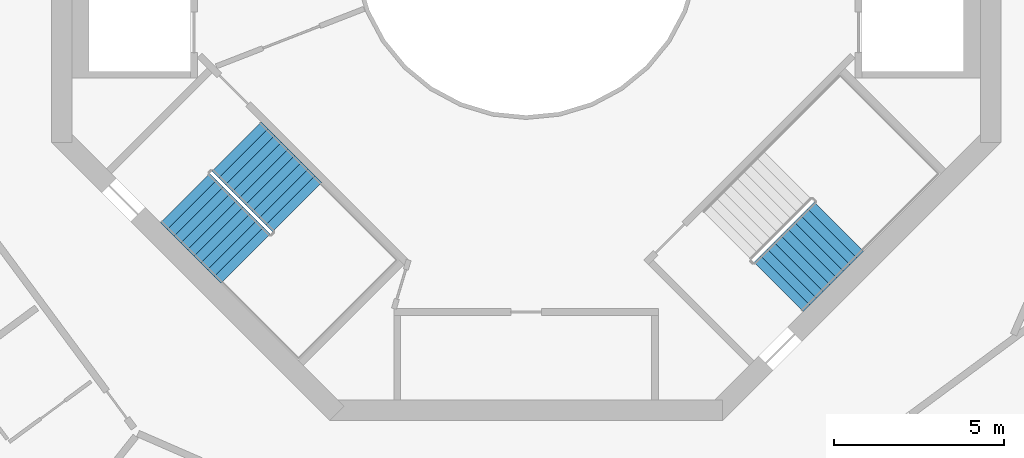
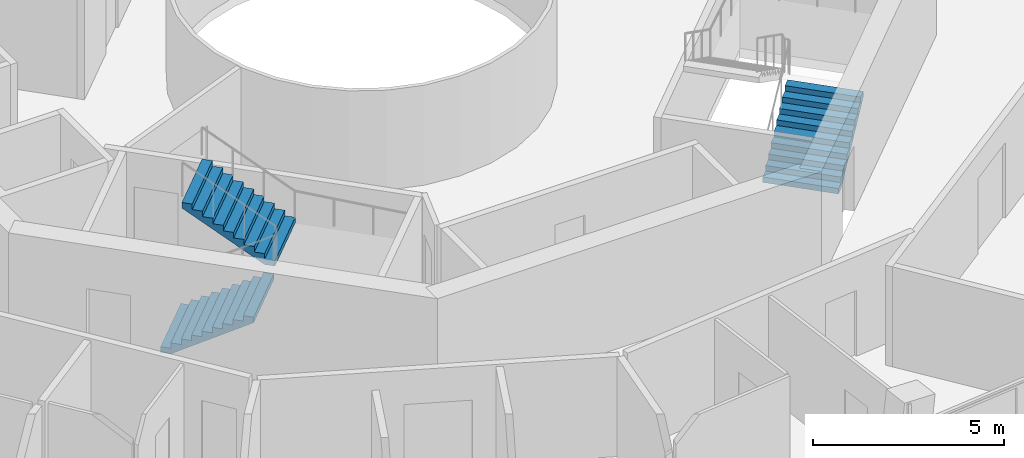
# One storey, part 21 of 23: 3 stair flights, 2 elements without a shape of their own.
"""IFC4 building model written with IfcOpenShell, lengths in metres."""

import ifcopenshell
import ifcopenshell.guid

model = None  # the IFC model being written
_history = None  # IfcOwnerHistory: only IFC2X3 demands one
_inside = {}  # id of a spatial element -> (the spatial element, [elements in it])
_under = {}  # id of a project, library or spatial element -> (it, [spatial elements below it])
_declared = {}  # id of a project -> (the project, [libraries it declares])
_typed = {}  # id of a type object -> (the type object, [elements of that type])
_made_of = {}  # id of a material, layer set ... -> (it, [elements and type objects made of it])


def new_model(schema):
    """Start an empty IFC model of exactly this schema.

    Asked for "IFC4X3", IfcOpenShell would pick the latest addendum, in which some entities
    have other attributes; the version numbers below select the first issue.
    IFC2X3 requires an IfcOwnerHistory on every rooted entity: one is made here for all.
    """
    global model, _history
    if schema == "IFC4X3":
        model = ifcopenshell.file(schema_version=(4, 3, 0, 0))
    else:
        model = ifcopenshell.file(schema=schema)
    _inside.clear()
    _under.clear()
    _declared.clear()
    _typed.clear()
    _made_of.clear()
    _history = None
    if model.schema == "IFC2X3":
        org = make("IfcOrganization", Name="unknown")
        user = make(
            "IfcPersonAndOrganization",
            ThePerson=make("IfcPerson", FamilyName="unknown"),
            TheOrganization=org,
        )
        app = make(
            "IfcApplication",
            ApplicationDeveloper=org,
            Version="unknown",
            ApplicationFullName="unknown",
            ApplicationIdentifier="unknown",
        )
        _history = make(
            "IfcOwnerHistory",
            OwningUser=user,
            OwningApplication=app,
            ChangeAction="ADDED",
            CreationDate=0,
        )
    return model


def make(cls, **values):
    """One entity of the class cls with the attributes given. An attribute that is None is left unset."""
    return model.create_entity(
        cls, **{name: value for name, value in values.items() if value is not None}
    )


def rooted(cls, **values):
    """An entity with a GlobalId (a new one), such as an element, a storey or a relation."""
    return make(cls, GlobalId=ifcopenshell.guid.new(), OwnerHistory=_history, **values)


def si_unit(unit_type, name, prefix=None):
    """IfcSIUnit, for example si_unit("LENGTHUNIT", "METRE", prefix="MILLI")."""
    return make("IfcSIUnit", UnitType=unit_type, Prefix=prefix, Name=name)


def assignment(units):
    """IfcUnitAssignment: the units of a project."""
    return None if units is None else make("IfcUnitAssignment", Units=units)


def point(xyz):
    """IfcCartesianPoint."""
    return None if xyz is None else make("IfcCartesianPoint", Coordinates=xyz)


def direction(xyz):
    """IfcDirection."""
    return None if xyz is None else make("IfcDirection", DirectionRatios=xyz)


def frame(location, z_axis=None, x_axis=None):
    """IfcAxis2Placement3D, a coordinate frame: its origin and axes. An axis left out is left unset."""
    return make(
        "IfcAxis2Placement3D",
        Location=point(location),
        Axis=direction(z_axis),
        RefDirection=direction(x_axis),
    )


def origin():
    """The frame at (0, 0, 0) with its axes left unset."""
    return frame((0.0, 0.0, 0.0))


def place(relative_to, where):
    """IfcLocalPlacement: puts the frame where relative to a parent placement (None: the world)."""
    return make(
        "IfcLocalPlacement", PlacementRelTo=relative_to, RelativePlacement=where
    )


def context(
    kind, dimensions, precision=None, world=None, true_north=None, identifier=None
):
    """IfcGeometricRepresentationContext, for example the 3D "Model" context."""
    return make(
        "IfcGeometricRepresentationContext",
        ContextIdentifier=identifier,
        ContextType=kind,
        CoordinateSpaceDimension=dimensions,
        Precision=precision,
        WorldCoordinateSystem=world,
        TrueNorth=true_north,
    )


def subcontext(parent, identifier, kind, view, scale=None):
    """IfcGeometricRepresentationSubContext, for example "Body" below "Model"."""
    return make(
        "IfcGeometricRepresentationSubContext",
        ContextIdentifier=identifier,
        ContextType=kind,
        ParentContext=parent,
        TargetScale=scale,
        TargetView=view,
    )


def project(units=None, contexts=None):
    """IfcProject with its units and contexts."""
    return rooted(
        "IfcProject",
        Name="project",
        RepresentationContexts=contexts,
        UnitsInContext=assignment(units),
    )


def spatial(cls, under=None, at=None, **own):
    """A site, building, storey or space (cls), placed at a placement, below another one or the project."""
    s = rooted(cls, ObjectPlacement=at, **own)
    if under is not None:
        _under.setdefault(under.id(), (under, []))[1].append(s)
    return s


def point_list(points):
    """IfcCartesianPointList2D or 3D."""
    cls = (
        "IfcCartesianPointList2D" if len(points[0]) == 2 else "IfcCartesianPointList3D"
    )
    return make(cls, CoordList=points)


def triangles(points, corners, closed=None, point_numbers=None):
    """IfcTriangulatedFaceSet: each triangle names its three corners, points numbered from 1."""
    return make(
        "IfcTriangulatedFaceSet",
        Coordinates=point_list(points),
        Closed=closed,
        CoordIndex=corners,
        PnIndex=point_numbers,
    )


def shape(context_of_items, identifier, shape_type, items):
    """IfcShapeRepresentation: the items that make up one representation, for example the "Body"."""
    return make(
        "IfcShapeRepresentation",
        ContextOfItems=context_of_items,
        RepresentationIdentifier=identifier,
        RepresentationType=shape_type,
        Items=items,
    )


def material(Name=None, Category=None):
    """IfcMaterial."""
    return make("IfcMaterial", Name=Name, Category=Category)


def made_of(thing, what):
    """Note that an element or type object is made of a material, layer set ...; save() writes the relation."""
    if what is not None:
        _made_of.setdefault(what.id(), (what, []))[1].append(thing)
    return thing


def type_object(cls, material=None, **own):
    """A type object (cls), such as IfcWallType, which elements share."""
    return made_of(rooted(cls, **own), material)


def element(
    cls,
    number,
    at=None,
    inside=None,
    cuts=None,
    type_object=None,
    material=None,
    context=None,
    identifier="Body",
    shape_type=None,
    held_by="IfcProductDefinitionShape",
    body=None,
    shapes=None,
    **own,
):
    """One element of the class cls, such as IfcWall. Its Tag is "e" and its number.

    at: its placement. inside: the storey or other place that contains it. cuts: it is an
    opening in that element (IfcRelVoidsElement). A single representation is given by context,
    identifier, shape_type and body (its items); several are given by shapes. held_by: the class
    of the entity that holds the representations. save() writes the other relations.
    """
    e = rooted(cls, Tag="e%d" % number, ObjectPlacement=at, **own)
    if body is not None:
        shapes = [shape(context, identifier, shape_type, body)]
    if shapes is not None:
        e.Representation = make(held_by, Representations=shapes)
    if inside is not None:
        _inside.setdefault(inside.id(), (inside, []))[1].append(e)
    if cuts is not None:
        rooted(
            "IfcRelVoidsElement", RelatingBuildingElement=cuts, RelatedOpeningElement=e
        )
    if type_object is not None:
        _typed.setdefault(type_object.id(), (type_object, []))[1].append(e)
    return made_of(e, material)


def aggregate(whole, parts):
    """IfcRelAggregates: a whole, such as a stair, and the parts it consists of."""
    return rooted("IfcRelAggregates", RelatingObject=whole, RelatedObjects=parts)


def save(model, path):
    """Write the relations noted so far, then the file.

    IfcRelAggregates (storeys below a building ...), IfcRelContainedInSpatialStructure (elements
    in a storey), IfcRelDefinesByType, IfcRelAssociatesMaterial and IfcRelDeclares: one each for
    every whole, place, type object, material and project.
    """
    for whole, parts in _under.values():
        aggregate(whole, parts)
    for where, things in _inside.values():
        rooted(
            "IfcRelContainedInSpatialStructure",
            RelatedElements=things,
            RelatingStructure=where,
        )
    for kind, things in _typed.values():
        rooted("IfcRelDefinesByType", RelatedObjects=things, RelatingType=kind)
    for what, things in _made_of.values():
        rooted("IfcRelAssociatesMaterial", RelatedObjects=things, RelatingMaterial=what)
    for by, libraries in _declared.values():
        rooted("IfcRelDeclares", RelatingContext=by, RelatedDefinitions=libraries)
    model.write(path)


model = new_model("IFC4")

# Units and contexts
model_context = context("Model", 3, precision=1e-05, world=origin(), true_north=direction((0.0, 1.0)))
body_context = subcontext(model_context, "Body", "Model", "MODEL_VIEW")
ifc_project = project(units=[si_unit("LENGTHUNIT", "METRE"), si_unit("AREAUNIT", "SQUARE_METRE"), si_unit("VOLUMEUNIT", "CUBIC_METRE"), si_unit("PLANEANGLEUNIT", "RADIAN"), si_unit("MASSUNIT", "GRAM", prefix="KILO")], contexts=[model_context])

# Site, building, storey
site_placement = place(None, origin())
site = spatial("IfcSite", under=ifc_project, at=site_placement, CompositionType="ELEMENT")
building_placement = place(site_placement, origin())
building = spatial("IfcBuilding", under=site, at=building_placement, Name="Verdalira Terraces Hotel", CompositionType="ELEMENT")
storey_placement = place(building_placement, frame((0.0, 0.0, 183.5)))
storey = spatial("IfcBuildingStorey", under=building, at=storey_placement, Name="L44", CompositionType="ELEMENT", Elevation=183.5)

# Stair, stair flights
ifc_material_1 = material(Name="Concrete C40", Category="concrete")
stair_type = type_object("IfcStairType", Name="Core stair 20 risers 2050 mm wide", PredefinedType="HALF_TURN_STAIR", material=ifc_material_1)
stair_1_placement = place(storey_placement, origin())
stair_1 = element("IfcStair", 1, at=stair_1_placement, inside=storey, type_object=stair_type, Name="L44 Exit stair ST2", PredefinedType="HALF_TURN_STAIR")
ifc_material_2 = material(Name="Concrete C40", Category="concrete")
stair_flight_type = type_object("IfcStairFlightType", Name="Core stair flight 20 risers 2050 mm wide", PredefinedType="STRAIGHT", material=ifc_material_2)
stair_flight_1_placement = place(storey_placement, frame((-10.058594, -7.442383, 0.0), z_axis=(0.0, 0.0, 1.0), x_axis=(0.707106781, -0.707106781, 0.0)))
stair_flight_1 = element("IfcStairFlight", 2, at=stair_flight_1_placement, type_object=stair_flight_type, Name="ST2 flight 1", NumberOfRisers=10, NumberOfTreads=9, PredefinedType="STRAIGHT", RiserHeight=0.175, TreadLength=0.28, context=body_context, shape_type="Tessellation", body=[
    triangles([(0.0, 1.025024, 0.0), (0.282715, 1.025024, 0.0), (2.52002, 1.025024, 1.398193), (0.0, -1.025024, 0.0), (0.282715, -1.025024, 0.0), (2.52002, -1.025024, 1.398193), (2.52002, 1.025024, 1.574951), (2.23999, 1.025024, 1.574951), (2.52002, -1.025024, 1.574951), (2.23999, -1.025024, 1.574951), (2.23999, 1.025024, 1.399902), (2.23999, -1.025024, 1.399902), (1.959961, 1.025024, 1.399902), (1.959961, -1.025024, 1.399902), (1.959961, 1.025024, 1.225098), (1.959961, -1.025024, 1.225098), (1.679932, 1.025024, 1.225098), (1.679932, 1.025024, 1.050049), (1.679932, -1.025024, 1.225098), (1.679932, -1.025024, 1.050049), (1.399902, 1.025024, 1.050049), (1.399902, 1.025024, 0.875), (1.399902, -1.025024, 1.050049), (1.399902, -1.025024, 0.875), (1.120117, 1.025024, 0.875), (1.120117, 1.025024, 0.699951), (1.120117, -1.025024, 0.875), (1.120117, -1.025024, 0.699951), (0.840088, 1.025024, 0.699951), (0.840088, 1.025024, 0.524902), (0.840088, -1.025024, 0.699951), (0.840088, -1.025024, 0.524902), (0.560059, 1.025024, 0.524902), (0.560059, 1.025024, 0.350098), (0.560059, -1.025024, 0.524902), (0.560059, -1.025024, 0.350098), (0.280029, 1.025024, 0.350098), (0.280029, 1.025024, 0.175049), (0.280029, -1.025024, 0.350098), (0.280029, -1.025024, 0.175049), (0.0, 1.025024, 0.175049), (0.0, -1.025024, 0.175049), (0.0, -0.96096, 0.0), (0.0, -0.96096, 0.175049), (0.0, -0.896896, 0.0), (0.0, -0.896896, 0.175049), (0.0, -0.832832, 0.0), (0.0, -0.832832, 0.175049), (0.0, -0.768768, 0.0), (0.0, -0.768768, 0.175049), (0.0, -0.704704, 0.0), (0.0, -0.704704, 0.175049), (0.0, -0.64064, 0.0), (0.0, -0.64064, 0.175049), (0.0, -0.576576, 0.0), (0.0, -0.576576, 0.175049), (0.0, -0.512512, 0.0), (0.0, -0.512512, 0.175049), (0.0, -0.448448, 0.0), (0.0, -0.448448, 0.175049), (0.0, -0.384384, 0.0), (0.0, -0.384384, 0.175049), (0.0, -0.32032, 0.0), (0.0, -0.32032, 0.175049), (0.0, -0.256256, 0.0), (0.0, -0.256256, 0.175049), (0.0, -0.192192, 0.0), (0.0, -0.192192, 0.175049), (0.0, -0.128128, 0.0), (0.0, -0.128128, 0.175049), (0.0, -0.064064, 0.0), (0.0, -0.064064, 0.175049), (0.0, 0.0, 0.0), (0.0, 0.0, 0.175049), (0.0, 0.064064, 0.0), (0.0, 0.064064, 0.175049), (0.0, 0.128128, 0.0), (0.0, 0.128128, 0.175049), (0.0, 0.192192, 0.0), (0.0, 0.192192, 0.175049), (0.0, 0.256256, 0.0), (0.0, 0.256256, 0.175049), (0.0, 0.32032, 0.0), (0.0, 0.32032, 0.175049), (0.0, 0.384384, 0.0), (0.0, 0.384384, 0.175049), (0.0, 0.448448, 0.0), (0.0, 0.448448, 0.175049), (0.0, 0.512512, 0.0), (0.0, 0.512512, 0.175049), (0.0, 0.576576, 0.0), (0.0, 0.576576, 0.175049), (0.0, 0.64064, 0.0), (0.0, 0.64064, 0.175049), (0.0, 0.704704, 0.0), (0.0, 0.704704, 0.175049), (0.0, 0.768768, 0.0), (0.0, 0.768768, 0.175049), (0.0, 0.832832, 0.0), (0.0, 0.832832, 0.175049), (0.0, 0.896896, 0.0), (0.0, 0.896896, 0.175049), (0.0, 0.96096, 0.0), (0.0, 0.96096, 0.175049), (2.52002, -0.96096, 1.574951), (2.52002, -0.896896, 1.574951), (2.52002, -0.832832, 1.574951), (2.52002, -0.768768, 1.574951), (2.52002, -0.704704, 1.574951), (2.52002, -0.64064, 1.574951), (2.52002, -0.576576, 1.574951), (2.52002, -0.512512, 1.574951), (2.52002, -0.448448, 1.574951), (2.52002, -0.384384, 1.574951), (2.52002, -0.32032, 1.574951), (2.52002, -0.256256, 1.574951), (2.52002, -0.192192, 1.574951), (2.52002, -0.128128, 1.574951), (2.52002, -0.064064, 1.574951), (2.52002, 0.0, 1.574951), (2.52002, 0.064064, 1.574951), (2.52002, 0.128128, 1.574951), (2.52002, 0.192192, 1.574951), (2.52002, 0.256256, 1.574951), (2.52002, 0.32032, 1.574951), (2.52002, 0.384384, 1.574951), (2.52002, 0.448448, 1.574951), (2.52002, 0.512512, 1.574951), (2.52002, 0.576576, 1.574951), (2.52002, 0.64064, 1.574951), (2.52002, 0.704704, 1.574951), (2.52002, 0.768768, 1.574951), (2.52002, 0.832832, 1.574951), (2.52002, 0.896896, 1.574951), (2.52002, 0.96096, 1.574951), (2.52002, -0.96096, 1.398193), (2.52002, -0.896896, 1.398193), (2.52002, -0.832832, 1.398193), (2.52002, -0.768768, 1.398193), (2.52002, -0.704704, 1.398193), (2.52002, -0.64064, 1.398193), (2.52002, -0.576576, 1.398193), (2.52002, -0.512512, 1.398193), (2.52002, -0.448448, 1.398193), (2.52002, -0.384384, 1.398193), (2.52002, -0.32032, 1.398193), (2.52002, -0.256256, 1.398193), (2.52002, -0.192192, 1.398193), (2.52002, -0.128128, 1.398193), (2.52002, -0.064064, 1.398193), (2.52002, 0.0, 1.398193), (2.52002, 0.064064, 1.398193), (2.52002, 0.128128, 1.398193), (2.52002, 0.192192, 1.398193), (2.52002, 0.256256, 1.398193), (2.52002, 0.32032, 1.398193), (2.52002, 0.384384, 1.398193), (2.52002, 0.448448, 1.398193), (2.52002, 0.512512, 1.398193), (2.52002, 0.576576, 1.398193), (2.52002, 0.64064, 1.398193), (2.52002, 0.704704, 1.398193), (2.52002, 0.768768, 1.398193), (2.52002, 0.832832, 1.398193), (2.52002, 0.896896, 1.398193), (2.52002, 0.96096, 1.398193)], [[1, 3, 2], [4, 5, 6], [3, 8, 7], [6, 9, 10], [3, 11, 8], [6, 10, 12], [3, 13, 11], [6, 12, 14], [3, 15, 13], [6, 14, 16], [15, 18, 17], [16, 19, 20], [3, 18, 15], [6, 16, 20], [18, 22, 21], [20, 23, 24], [3, 22, 18], [6, 20, 24], [22, 26, 25], [24, 27, 28], [3, 26, 22], [6, 24, 28], [26, 30, 29], [28, 31, 32], [3, 30, 26], [6, 28, 32], [1, 30, 3], [4, 6, 32], [30, 34, 33], [32, 35, 36], [34, 38, 37], [36, 39, 40], [30, 38, 34], [32, 36, 40], [1, 38, 30], [4, 32, 40], [38, 1, 41], [40, 42, 4], [4, 44, 43], [4, 42, 44], [43, 46, 45], [43, 44, 46], [45, 48, 47], [45, 46, 48], [47, 50, 49], [47, 48, 50], [49, 52, 51], [49, 50, 52], [51, 54, 53], [51, 52, 54], [53, 56, 55], [53, 54, 56], [55, 58, 57], [55, 56, 58], [57, 60, 59], [57, 58, 60], [59, 62, 61], [59, 60, 62], [61, 64, 63], [61, 62, 64], [63, 66, 65], [63, 64, 66], [65, 68, 67], [65, 66, 68], [67, 70, 69], [67, 68, 70], [69, 72, 71], [69, 70, 72], [71, 74, 73], [71, 72, 74], [73, 76, 75], [73, 74, 76], [75, 78, 77], [75, 76, 78], [77, 80, 79], [77, 78, 80], [79, 82, 81], [79, 80, 82], [81, 84, 83], [81, 82, 84], [83, 86, 85], [83, 84, 86], [85, 88, 87], [85, 86, 88], [87, 90, 89], [87, 88, 90], [89, 92, 91], [89, 90, 92], [91, 94, 93], [91, 92, 94], [93, 96, 95], [93, 94, 96], [95, 98, 97], [95, 96, 98], [97, 100, 99], [97, 98, 100], [99, 102, 101], [99, 100, 102], [101, 104, 103], [101, 102, 104], [103, 41, 1], [103, 104, 41], [42, 40, 44], [44, 40, 46], [46, 40, 48], [48, 40, 50], [50, 40, 52], [52, 40, 54], [54, 40, 56], [56, 40, 58], [58, 40, 60], [60, 40, 62], [62, 40, 64], [64, 40, 66], [66, 40, 68], [68, 40, 70], [70, 40, 72], [72, 40, 74], [74, 40, 76], [76, 40, 78], [78, 40, 80], [80, 40, 82], [82, 40, 84], [84, 40, 86], [86, 40, 88], [88, 40, 90], [90, 40, 92], [92, 40, 94], [94, 40, 96], [96, 40, 98], [98, 40, 100], [100, 40, 102], [102, 40, 104], [104, 40, 41], [41, 40, 38], [40, 37, 38], [40, 39, 37], [39, 34, 37], [39, 36, 34], [36, 33, 34], [36, 35, 33], [35, 30, 33], [35, 32, 30], [32, 29, 30], [32, 31, 29], [31, 26, 29], [31, 28, 26], [28, 25, 26], [28, 27, 25], [27, 22, 25], [27, 24, 22], [24, 21, 22], [24, 23, 21], [23, 18, 21], [23, 20, 18], [20, 17, 18], [20, 19, 17], [19, 15, 17], [19, 16, 15], [16, 13, 15], [16, 14, 13], [14, 11, 13], [14, 12, 11], [12, 8, 11], [12, 10, 8], [9, 105, 10], [105, 106, 10], [106, 107, 10], [107, 108, 10], [108, 109, 10], [109, 110, 10], [110, 111, 10], [111, 112, 10], [112, 113, 10], [113, 114, 10], [114, 115, 10], [115, 116, 10], [116, 117, 10], [117, 118, 10], [118, 119, 10], [119, 120, 10], [120, 121, 10], [121, 122, 10], [122, 123, 10], [123, 124, 10], [124, 125, 10], [125, 126, 10], [126, 127, 10], [127, 128, 10], [128, 129, 10], [129, 130, 10], [130, 131, 10], [131, 132, 10], [132, 133, 10], [133, 134, 10], [134, 135, 10], [135, 7, 10], [7, 8, 10], [9, 136, 105], [9, 6, 136], [105, 137, 106], [105, 136, 137], [106, 138, 107], [106, 137, 138], [107, 139, 108], [107, 138, 139], [108, 140, 109], [108, 139, 140], [109, 141, 110], [109, 140, 141], [110, 142, 111], [110, 141, 142], [111, 143, 112], [111, 142, 143], [112, 144, 113], [112, 143, 144], [113, 145, 114], [113, 144, 145], [114, 146, 115], [114, 145, 146], [115, 147, 116], [115, 146, 147], [116, 148, 117], [116, 147, 148], [117, 149, 118], [117, 148, 149], [118, 150, 119], [118, 149, 150], [119, 151, 120], [119, 150, 151], [120, 152, 121], [120, 151, 152], [121, 153, 122], [121, 152, 153], [122, 154, 123], [122, 153, 154], [123, 155, 124], [123, 154, 155], [124, 156, 125], [124, 155, 156], [125, 157, 126], [125, 156, 157], [126, 158, 127], [126, 157, 158], [127, 159, 128], [127, 158, 159], [128, 160, 129], [128, 159, 160], [129, 161, 130], [129, 160, 161], [130, 162, 131], [130, 161, 162], [131, 163, 132], [131, 162, 163], [132, 164, 133], [132, 163, 164], [133, 165, 134], [133, 164, 165], [134, 166, 135], [134, 165, 166], [135, 3, 7], [135, 166, 3], [6, 5, 136], [136, 5, 137], [137, 5, 138], [138, 5, 139], [139, 5, 140], [140, 5, 141], [141, 5, 142], [142, 5, 143], [143, 5, 144], [144, 5, 145], [145, 5, 146], [146, 5, 147], [147, 5, 148], [148, 5, 149], [149, 5, 150], [150, 5, 151], [151, 5, 152], [152, 5, 153], [153, 5, 154], [154, 5, 155], [155, 5, 156], [156, 5, 157], [157, 5, 158], [158, 5, 159], [159, 5, 160], [160, 5, 161], [161, 5, 162], [162, 5, 163], [163, 5, 164], [164, 5, 165], [165, 5, 166], [166, 5, 3], [3, 5, 2], [4, 43, 5], [43, 45, 5], [45, 47, 5], [47, 49, 5], [49, 51, 5], [51, 53, 5], [53, 55, 5], [55, 57, 5], [57, 59, 5], [59, 61, 5], [61, 63, 5], [63, 65, 5], [65, 67, 5], [67, 69, 5], [69, 71, 5], [71, 73, 5], [73, 75, 5], [75, 77, 5], [77, 79, 5], [79, 81, 5], [81, 83, 5], [83, 85, 5], [85, 87, 5], [87, 89, 5], [89, 91, 5], [91, 93, 5], [93, 95, 5], [95, 97, 5], [97, 99, 5], [99, 101, 5], [101, 103, 5], [103, 1, 5], [1, 2, 5]], closed=True),
])
stair_flight_2_placement = place(storey_placement, frame((-6.756348, -7.703857, 1.75), z_axis=(0.0, 0.0, 1.0), x_axis=(-0.707106781, 0.707106781, 0.0)))
stair_flight_2 = element("IfcStairFlight", 3, at=stair_flight_2_placement, type_object=stair_flight_type, Name="ST2 flight 2", NumberOfRisers=10, NumberOfTreads=9, PredefinedType="STRAIGHT", RiserHeight=0.175, TreadLength=0.28, context=body_context, shape_type="Tessellation", body=[
    triangles([(0.0, 1.025024, 0.0), (0.282715, 1.025024, 0.0), (2.52002, 1.025024, 1.398193), (0.0, -1.025024, 0.0), (0.282715, -1.025024, 0.0), (2.52002, -1.025024, 1.398193), (2.52002, 1.025024, 1.574951), (2.23999, 1.025024, 1.574951), (2.52002, -1.025024, 1.574951), (2.23999, -1.025024, 1.574951), (2.23999, 1.025024, 1.399902), (2.23999, -1.025024, 1.399902), (1.959961, 1.025024, 1.399902), (1.959961, -1.025024, 1.399902), (1.959961, 1.025024, 1.225098), (1.959961, -1.025024, 1.225098), (1.679932, 1.025024, 1.225098), (1.679932, 1.025024, 1.050049), (1.679932, -1.025024, 1.225098), (1.679932, -1.025024, 1.050049), (1.399902, 1.025024, 1.050049), (1.399902, 1.025024, 0.875), (1.399902, -1.025024, 1.050049), (1.399902, -1.025024, 0.875), (1.120117, 1.025024, 0.875), (1.120117, 1.025024, 0.699951), (1.120117, -1.025024, 0.875), (1.120117, -1.025024, 0.699951), (0.840088, 1.025024, 0.699951), (0.840088, 1.025024, 0.524902), (0.840088, -1.025024, 0.699951), (0.840088, -1.025024, 0.524902), (0.560059, 1.025024, 0.524902), (0.560059, 1.025024, 0.350098), (0.560059, -1.025024, 0.524902), (0.560059, -1.025024, 0.350098), (0.280029, 1.025024, 0.350098), (0.280029, 1.025024, 0.175049), (0.280029, -1.025024, 0.350098), (0.280029, -1.025024, 0.175049), (0.0, 1.025024, 0.175049), (0.0, -1.025024, 0.175049), (0.0, -0.96096, 0.0), (0.0, -0.96096, 0.175049), (0.0, -0.896896, 0.0), (0.0, -0.896896, 0.175049), (0.0, -0.832832, 0.0), (0.0, -0.832832, 0.175049), (0.0, -0.768768, 0.0), (0.0, -0.768768, 0.175049), (0.0, -0.704704, 0.0), (0.0, -0.704704, 0.175049), (0.0, -0.64064, 0.0), (0.0, -0.64064, 0.175049), (0.0, -0.576576, 0.0), (0.0, -0.576576, 0.175049), (0.0, -0.512512, 0.0), (0.0, -0.512512, 0.175049), (0.0, -0.448448, 0.0), (0.0, -0.448448, 0.175049), (0.0, -0.384384, 0.0), (0.0, -0.384384, 0.175049), (0.0, -0.32032, 0.0), (0.0, -0.32032, 0.175049), (0.0, -0.256256, 0.0), (0.0, -0.256256, 0.175049), (0.0, -0.192192, 0.0), (0.0, -0.192192, 0.175049), (0.0, -0.128128, 0.0), (0.0, -0.128128, 0.175049), (0.0, -0.064064, 0.0), (0.0, -0.064064, 0.175049), (0.0, 0.0, 0.0), (0.0, 0.0, 0.175049), (0.0, 0.064064, 0.0), (0.0, 0.064064, 0.175049), (0.0, 0.128128, 0.0), (0.0, 0.128128, 0.175049), (0.0, 0.192192, 0.0), (0.0, 0.192192, 0.175049), (0.0, 0.256256, 0.0), (0.0, 0.256256, 0.175049), (0.0, 0.32032, 0.0), (0.0, 0.32032, 0.175049), (0.0, 0.384384, 0.0), (0.0, 0.384384, 0.175049), (0.0, 0.448448, 0.0), (0.0, 0.448448, 0.175049), (0.0, 0.512512, 0.0), (0.0, 0.512512, 0.175049), (0.0, 0.576576, 0.0), (0.0, 0.576576, 0.175049), (0.0, 0.64064, 0.0), (0.0, 0.64064, 0.175049), (0.0, 0.704704, 0.0), (0.0, 0.704704, 0.175049), (0.0, 0.768768, 0.0), (0.0, 0.768768, 0.175049), (0.0, 0.832832, 0.0), (0.0, 0.832832, 0.175049), (0.0, 0.896896, 0.0), (0.0, 0.896896, 0.175049), (0.0, 0.96096, 0.0), (0.0, 0.96096, 0.175049), (2.52002, -0.96096, 1.574951), (2.52002, -0.896896, 1.574951), (2.52002, -0.832832, 1.574951), (2.52002, -0.768768, 1.574951), (2.52002, -0.704704, 1.574951), (2.52002, -0.64064, 1.574951), (2.52002, -0.576576, 1.574951), (2.52002, -0.512512, 1.574951), (2.52002, -0.448448, 1.574951), (2.52002, -0.384384, 1.574951), (2.52002, -0.32032, 1.574951), (2.52002, -0.256256, 1.574951), (2.52002, -0.192192, 1.574951), (2.52002, -0.128128, 1.574951), (2.52002, -0.064064, 1.574951), (2.52002, 0.0, 1.574951), (2.52002, 0.064064, 1.574951), (2.52002, 0.128128, 1.574951), (2.52002, 0.192192, 1.574951), (2.52002, 0.256256, 1.574951), (2.52002, 0.32032, 1.574951), (2.52002, 0.384384, 1.574951), (2.52002, 0.448448, 1.574951), (2.52002, 0.512512, 1.574951), (2.52002, 0.576576, 1.574951), (2.52002, 0.64064, 1.574951), (2.52002, 0.704704, 1.574951), (2.52002, 0.768768, 1.574951), (2.52002, 0.832832, 1.574951), (2.52002, 0.896896, 1.574951), (2.52002, 0.96096, 1.574951), (2.52002, -0.96096, 1.398193), (2.52002, -0.896896, 1.398193), (2.52002, -0.832832, 1.398193), (2.52002, -0.768768, 1.398193), (2.52002, -0.704704, 1.398193), (2.52002, -0.64064, 1.398193), (2.52002, -0.576576, 1.398193), (2.52002, -0.512512, 1.398193), (2.52002, -0.448448, 1.398193), (2.52002, -0.384384, 1.398193), (2.52002, -0.32032, 1.398193), (2.52002, -0.256256, 1.398193), (2.52002, -0.192192, 1.398193), (2.52002, -0.128128, 1.398193), (2.52002, -0.064064, 1.398193), (2.52002, 0.0, 1.398193), (2.52002, 0.064064, 1.398193), (2.52002, 0.128128, 1.398193), (2.52002, 0.192192, 1.398193), (2.52002, 0.256256, 1.398193), (2.52002, 0.32032, 1.398193), (2.52002, 0.384384, 1.398193), (2.52002, 0.448448, 1.398193), (2.52002, 0.512512, 1.398193), (2.52002, 0.576576, 1.398193), (2.52002, 0.64064, 1.398193), (2.52002, 0.704704, 1.398193), (2.52002, 0.768768, 1.398193), (2.52002, 0.832832, 1.398193), (2.52002, 0.896896, 1.398193), (2.52002, 0.96096, 1.398193)], [[1, 3, 2], [4, 5, 6], [3, 8, 7], [6, 9, 10], [3, 11, 8], [6, 10, 12], [3, 13, 11], [6, 12, 14], [3, 15, 13], [6, 14, 16], [15, 18, 17], [16, 19, 20], [3, 18, 15], [6, 16, 20], [18, 22, 21], [20, 23, 24], [3, 22, 18], [6, 20, 24], [22, 26, 25], [24, 27, 28], [3, 26, 22], [6, 24, 28], [26, 30, 29], [28, 31, 32], [3, 30, 26], [6, 28, 32], [1, 30, 3], [4, 6, 32], [30, 34, 33], [32, 35, 36], [34, 38, 37], [36, 39, 40], [30, 38, 34], [32, 36, 40], [1, 38, 30], [4, 32, 40], [38, 1, 41], [40, 42, 4], [4, 44, 43], [4, 42, 44], [43, 46, 45], [43, 44, 46], [45, 48, 47], [45, 46, 48], [47, 50, 49], [47, 48, 50], [49, 52, 51], [49, 50, 52], [51, 54, 53], [51, 52, 54], [53, 56, 55], [53, 54, 56], [55, 58, 57], [55, 56, 58], [57, 60, 59], [57, 58, 60], [59, 62, 61], [59, 60, 62], [61, 64, 63], [61, 62, 64], [63, 66, 65], [63, 64, 66], [65, 68, 67], [65, 66, 68], [67, 70, 69], [67, 68, 70], [69, 72, 71], [69, 70, 72], [71, 74, 73], [71, 72, 74], [73, 76, 75], [73, 74, 76], [75, 78, 77], [75, 76, 78], [77, 80, 79], [77, 78, 80], [79, 82, 81], [79, 80, 82], [81, 84, 83], [81, 82, 84], [83, 86, 85], [83, 84, 86], [85, 88, 87], [85, 86, 88], [87, 90, 89], [87, 88, 90], [89, 92, 91], [89, 90, 92], [91, 94, 93], [91, 92, 94], [93, 96, 95], [93, 94, 96], [95, 98, 97], [95, 96, 98], [97, 100, 99], [97, 98, 100], [99, 102, 101], [99, 100, 102], [101, 104, 103], [101, 102, 104], [103, 41, 1], [103, 104, 41], [42, 40, 44], [44, 40, 46], [46, 40, 48], [48, 40, 50], [50, 40, 52], [52, 40, 54], [54, 40, 56], [56, 40, 58], [58, 40, 60], [60, 40, 62], [62, 40, 64], [64, 40, 66], [66, 40, 68], [68, 40, 70], [70, 40, 72], [72, 40, 74], [74, 40, 76], [76, 40, 78], [78, 40, 80], [80, 40, 82], [82, 40, 84], [84, 40, 86], [86, 40, 88], [88, 40, 90], [90, 40, 92], [92, 40, 94], [94, 40, 96], [96, 40, 98], [98, 40, 100], [100, 40, 102], [102, 40, 104], [104, 40, 41], [41, 40, 38], [40, 37, 38], [40, 39, 37], [39, 34, 37], [39, 36, 34], [36, 33, 34], [36, 35, 33], [35, 30, 33], [35, 32, 30], [32, 29, 30], [32, 31, 29], [31, 26, 29], [31, 28, 26], [28, 25, 26], [28, 27, 25], [27, 22, 25], [27, 24, 22], [24, 21, 22], [24, 23, 21], [23, 18, 21], [23, 20, 18], [20, 17, 18], [20, 19, 17], [19, 15, 17], [19, 16, 15], [16, 13, 15], [16, 14, 13], [14, 11, 13], [14, 12, 11], [12, 8, 11], [12, 10, 8], [9, 105, 10], [105, 106, 10], [106, 107, 10], [107, 108, 10], [108, 109, 10], [109, 110, 10], [110, 111, 10], [111, 112, 10], [112, 113, 10], [113, 114, 10], [114, 115, 10], [115, 116, 10], [116, 117, 10], [117, 118, 10], [118, 119, 10], [119, 120, 10], [120, 121, 10], [121, 122, 10], [122, 123, 10], [123, 124, 10], [124, 125, 10], [125, 126, 10], [126, 127, 10], [127, 128, 10], [128, 129, 10], [129, 130, 10], [130, 131, 10], [131, 132, 10], [132, 133, 10], [133, 134, 10], [134, 135, 10], [135, 7, 10], [7, 8, 10], [9, 136, 105], [9, 6, 136], [105, 137, 106], [105, 136, 137], [106, 138, 107], [106, 137, 138], [107, 139, 108], [107, 138, 139], [108, 140, 109], [108, 139, 140], [109, 141, 110], [109, 140, 141], [110, 142, 111], [110, 141, 142], [111, 143, 112], [111, 142, 143], [112, 144, 113], [112, 143, 144], [113, 145, 114], [113, 144, 145], [114, 146, 115], [114, 145, 146], [115, 147, 116], [115, 146, 147], [116, 148, 117], [116, 147, 148], [117, 149, 118], [117, 148, 149], [118, 150, 119], [118, 149, 150], [119, 151, 120], [119, 150, 151], [120, 152, 121], [120, 151, 152], [121, 153, 122], [121, 152, 153], [122, 154, 123], [122, 153, 154], [123, 155, 124], [123, 154, 155], [124, 156, 125], [124, 155, 156], [125, 157, 126], [125, 156, 157], [126, 158, 127], [126, 157, 158], [127, 159, 128], [127, 158, 159], [128, 160, 129], [128, 159, 160], [129, 161, 130], [129, 160, 161], [130, 162, 131], [130, 161, 162], [131, 163, 132], [131, 162, 163], [132, 164, 133], [132, 163, 164], [133, 165, 134], [133, 164, 165], [134, 166, 135], [134, 165, 166], [135, 3, 7], [135, 166, 3], [6, 5, 136], [136, 5, 137], [137, 5, 138], [138, 5, 139], [139, 5, 140], [140, 5, 141], [141, 5, 142], [142, 5, 143], [143, 5, 144], [144, 5, 145], [145, 5, 146], [146, 5, 147], [147, 5, 148], [148, 5, 149], [149, 5, 150], [150, 5, 151], [151, 5, 152], [152, 5, 153], [153, 5, 154], [154, 5, 155], [155, 5, 156], [156, 5, 157], [157, 5, 158], [158, 5, 159], [159, 5, 160], [160, 5, 161], [161, 5, 162], [162, 5, 163], [163, 5, 164], [164, 5, 165], [165, 5, 166], [166, 5, 3], [3, 5, 2], [4, 43, 5], [43, 45, 5], [45, 47, 5], [47, 49, 5], [49, 51, 5], [51, 53, 5], [53, 55, 5], [55, 57, 5], [57, 59, 5], [59, 61, 5], [61, 63, 5], [63, 65, 5], [65, 67, 5], [67, 69, 5], [69, 71, 5], [71, 73, 5], [73, 75, 5], [75, 77, 5], [77, 79, 5], [79, 81, 5], [81, 83, 5], [83, 85, 5], [85, 87, 5], [87, 89, 5], [89, 91, 5], [91, 93, 5], [93, 95, 5], [95, 97, 5], [97, 99, 5], [99, 101, 5], [101, 103, 5], [103, 1, 5], [1, 2, 5]], closed=True),
])
aggregate(stair_1, [stair_flight_1, stair_flight_2])

# Stair, stair flight
stair_2_placement = place(storey_placement, origin())
stair_2 = element("IfcStair", 4, at=stair_2_placement, inside=storey, type_object=stair_type, Name="L44 Exit stair ST3", PredefinedType="HALF_TURN_STAIR")
stair_flight_3_placement = place(storey_placement, frame((7.442383, -10.058594, 0.0), z_axis=(0.0, 0.0, 1.0), x_axis=(0.707106781, 0.707106781, 0.0)))
stair_flight_3 = element("IfcStairFlight", 5, at=stair_flight_3_placement, type_object=stair_flight_type, Name="ST3 flight 1", NumberOfRisers=10, NumberOfTreads=9, PredefinedType="STRAIGHT", RiserHeight=0.175, TreadLength=0.28, context=body_context, shape_type="Tessellation", body=[
    triangles([(0.0, 1.025024, 0.0), (0.282715, 1.025024, 0.0), (2.52002, 1.025024, 1.398193), (0.0, -1.025024, 0.0), (0.282715, -1.025024, 0.0), (2.52002, -1.025024, 1.398193), (2.52002, 1.025024, 1.574951), (2.23999, 1.025024, 1.574951), (2.52002, -1.025024, 1.574951), (2.23999, -1.025024, 1.574951), (2.23999, 1.025024, 1.399902), (2.23999, -1.025024, 1.399902), (1.959961, 1.025024, 1.399902), (1.959961, -1.025024, 1.399902), (1.959961, 1.025024, 1.225098), (1.959961, -1.025024, 1.225098), (1.679932, 1.025024, 1.225098), (1.679932, 1.025024, 1.050049), (1.679932, -1.025024, 1.225098), (1.679932, -1.025024, 1.050049), (1.399902, 1.025024, 1.050049), (1.399902, 1.025024, 0.875), (1.399902, -1.025024, 1.050049), (1.399902, -1.025024, 0.875), (1.120117, 1.025024, 0.875), (1.120117, 1.025024, 0.699951), (1.120117, -1.025024, 0.875), (1.120117, -1.025024, 0.699951), (0.840088, 1.025024, 0.699951), (0.840088, 1.025024, 0.524902), (0.840088, -1.025024, 0.699951), (0.840088, -1.025024, 0.524902), (0.560059, 1.025024, 0.524902), (0.560059, 1.025024, 0.350098), (0.560059, -1.025024, 0.524902), (0.560059, -1.025024, 0.350098), (0.280029, 1.025024, 0.350098), (0.280029, 1.025024, 0.175049), (0.280029, -1.025024, 0.350098), (0.280029, -1.025024, 0.175049), (0.0, 1.025024, 0.175049), (0.0, -1.025024, 0.175049), (0.0, -0.96096, 0.0), (0.0, -0.96096, 0.175049), (0.0, -0.896896, 0.0), (0.0, -0.896896, 0.175049), (0.0, -0.832832, 0.0), (0.0, -0.832832, 0.175049), (0.0, -0.768768, 0.0), (0.0, -0.768768, 0.175049), (0.0, -0.704704, 0.0), (0.0, -0.704704, 0.175049), (0.0, -0.64064, 0.0), (0.0, -0.64064, 0.175049), (0.0, -0.576576, 0.0), (0.0, -0.576576, 0.175049), (0.0, -0.512512, 0.0), (0.0, -0.512512, 0.175049), (0.0, -0.448448, 0.0), (0.0, -0.448448, 0.175049), (0.0, -0.384384, 0.0), (0.0, -0.384384, 0.175049), (0.0, -0.32032, 0.0), (0.0, -0.32032, 0.175049), (0.0, -0.256256, 0.0), (0.0, -0.256256, 0.175049), (0.0, -0.192192, 0.0), (0.0, -0.192192, 0.175049), (0.0, -0.128128, 0.0), (0.0, -0.128128, 0.175049), (0.0, -0.064064, 0.0), (0.0, -0.064064, 0.175049), (0.0, 0.0, 0.0), (0.0, 0.0, 0.175049), (0.0, 0.064064, 0.0), (0.0, 0.064064, 0.175049), (0.0, 0.128128, 0.0), (0.0, 0.128128, 0.175049), (0.0, 0.192192, 0.0), (0.0, 0.192192, 0.175049), (0.0, 0.256256, 0.0), (0.0, 0.256256, 0.175049), (0.0, 0.32032, 0.0), (0.0, 0.32032, 0.175049), (0.0, 0.384384, 0.0), (0.0, 0.384384, 0.175049), (0.0, 0.448448, 0.0), (0.0, 0.448448, 0.175049), (0.0, 0.512512, 0.0), (0.0, 0.512512, 0.175049), (0.0, 0.576576, 0.0), (0.0, 0.576576, 0.175049), (0.0, 0.64064, 0.0), (0.0, 0.64064, 0.175049), (0.0, 0.704704, 0.0), (0.0, 0.704704, 0.175049), (0.0, 0.768768, 0.0), (0.0, 0.768768, 0.175049), (0.0, 0.832832, 0.0), (0.0, 0.832832, 0.175049), (0.0, 0.896896, 0.0), (0.0, 0.896896, 0.175049), (0.0, 0.96096, 0.0), (0.0, 0.96096, 0.175049), (2.52002, -0.96096, 1.574951), (2.52002, -0.896896, 1.574951), (2.52002, -0.832832, 1.574951), (2.52002, -0.768768, 1.574951), (2.52002, -0.704704, 1.574951), (2.52002, -0.64064, 1.574951), (2.52002, -0.576576, 1.574951), (2.52002, -0.512512, 1.574951), (2.52002, -0.448448, 1.574951), (2.52002, -0.384384, 1.574951), (2.52002, -0.32032, 1.574951), (2.52002, -0.256256, 1.574951), (2.52002, -0.192192, 1.574951), (2.52002, -0.128128, 1.574951), (2.52002, -0.064064, 1.574951), (2.52002, 0.0, 1.574951), (2.52002, 0.064064, 1.574951), (2.52002, 0.128128, 1.574951), (2.52002, 0.192192, 1.574951), (2.52002, 0.256256, 1.574951), (2.52002, 0.32032, 1.574951), (2.52002, 0.384384, 1.574951), (2.52002, 0.448448, 1.574951), (2.52002, 0.512512, 1.574951), (2.52002, 0.576576, 1.574951), (2.52002, 0.64064, 1.574951), (2.52002, 0.704704, 1.574951), (2.52002, 0.768768, 1.574951), (2.52002, 0.832832, 1.574951), (2.52002, 0.896896, 1.574951), (2.52002, 0.96096, 1.574951), (2.52002, -0.96096, 1.398193), (2.52002, -0.896896, 1.398193), (2.52002, -0.832832, 1.398193), (2.52002, -0.768768, 1.398193), (2.52002, -0.704704, 1.398193), (2.52002, -0.64064, 1.398193), (2.52002, -0.576576, 1.398193), (2.52002, -0.512512, 1.398193), (2.52002, -0.448448, 1.398193), (2.52002, -0.384384, 1.398193), (2.52002, -0.32032, 1.398193), (2.52002, -0.256256, 1.398193), (2.52002, -0.192192, 1.398193), (2.52002, -0.128128, 1.398193), (2.52002, -0.064064, 1.398193), (2.52002, 0.0, 1.398193), (2.52002, 0.064064, 1.398193), (2.52002, 0.128128, 1.398193), (2.52002, 0.192192, 1.398193), (2.52002, 0.256256, 1.398193), (2.52002, 0.32032, 1.398193), (2.52002, 0.384384, 1.398193), (2.52002, 0.448448, 1.398193), (2.52002, 0.512512, 1.398193), (2.52002, 0.576576, 1.398193), (2.52002, 0.64064, 1.398193), (2.52002, 0.704704, 1.398193), (2.52002, 0.768768, 1.398193), (2.52002, 0.832832, 1.398193), (2.52002, 0.896896, 1.398193), (2.52002, 0.96096, 1.398193)], [[1, 3, 2], [4, 5, 6], [3, 8, 7], [6, 9, 10], [3, 11, 8], [6, 10, 12], [3, 13, 11], [6, 12, 14], [3, 15, 13], [6, 14, 16], [15, 18, 17], [16, 19, 20], [3, 18, 15], [6, 16, 20], [18, 22, 21], [20, 23, 24], [3, 22, 18], [6, 20, 24], [22, 26, 25], [24, 27, 28], [3, 26, 22], [6, 24, 28], [26, 30, 29], [28, 31, 32], [3, 30, 26], [6, 28, 32], [1, 30, 3], [4, 6, 32], [30, 34, 33], [32, 35, 36], [34, 38, 37], [36, 39, 40], [30, 38, 34], [32, 36, 40], [1, 38, 30], [4, 32, 40], [38, 1, 41], [40, 42, 4], [4, 44, 43], [4, 42, 44], [43, 46, 45], [43, 44, 46], [45, 48, 47], [45, 46, 48], [47, 50, 49], [47, 48, 50], [49, 52, 51], [49, 50, 52], [51, 54, 53], [51, 52, 54], [53, 56, 55], [53, 54, 56], [55, 58, 57], [55, 56, 58], [57, 60, 59], [57, 58, 60], [59, 62, 61], [59, 60, 62], [61, 64, 63], [61, 62, 64], [63, 66, 65], [63, 64, 66], [65, 68, 67], [65, 66, 68], [67, 70, 69], [67, 68, 70], [69, 72, 71], [69, 70, 72], [71, 74, 73], [71, 72, 74], [73, 76, 75], [73, 74, 76], [75, 78, 77], [75, 76, 78], [77, 80, 79], [77, 78, 80], [79, 82, 81], [79, 80, 82], [81, 84, 83], [81, 82, 84], [83, 86, 85], [83, 84, 86], [85, 88, 87], [85, 86, 88], [87, 90, 89], [87, 88, 90], [89, 92, 91], [89, 90, 92], [91, 94, 93], [91, 92, 94], [93, 96, 95], [93, 94, 96], [95, 98, 97], [95, 96, 98], [97, 100, 99], [97, 98, 100], [99, 102, 101], [99, 100, 102], [101, 104, 103], [101, 102, 104], [103, 41, 1], [103, 104, 41], [42, 40, 44], [44, 40, 46], [46, 40, 48], [48, 40, 50], [50, 40, 52], [52, 40, 54], [54, 40, 56], [56, 40, 58], [58, 40, 60], [60, 40, 62], [62, 40, 64], [64, 40, 66], [66, 40, 68], [68, 40, 70], [70, 40, 72], [72, 40, 74], [74, 40, 76], [76, 40, 78], [78, 40, 80], [80, 40, 82], [82, 40, 84], [84, 40, 86], [86, 40, 88], [88, 40, 90], [90, 40, 92], [92, 40, 94], [94, 40, 96], [96, 40, 98], [98, 40, 100], [100, 40, 102], [102, 40, 104], [104, 40, 41], [41, 40, 38], [40, 37, 38], [40, 39, 37], [39, 34, 37], [39, 36, 34], [36, 33, 34], [36, 35, 33], [35, 30, 33], [35, 32, 30], [32, 29, 30], [32, 31, 29], [31, 26, 29], [31, 28, 26], [28, 25, 26], [28, 27, 25], [27, 22, 25], [27, 24, 22], [24, 21, 22], [24, 23, 21], [23, 18, 21], [23, 20, 18], [20, 17, 18], [20, 19, 17], [19, 15, 17], [19, 16, 15], [16, 13, 15], [16, 14, 13], [14, 11, 13], [14, 12, 11], [12, 8, 11], [12, 10, 8], [9, 105, 10], [105, 106, 10], [106, 107, 10], [107, 108, 10], [108, 109, 10], [109, 110, 10], [110, 111, 10], [111, 112, 10], [112, 113, 10], [113, 114, 10], [114, 115, 10], [115, 116, 10], [116, 117, 10], [117, 118, 10], [118, 119, 10], [119, 120, 10], [120, 121, 10], [121, 122, 10], [122, 123, 10], [123, 124, 10], [124, 125, 10], [125, 126, 10], [126, 127, 10], [127, 128, 10], [128, 129, 10], [129, 130, 10], [130, 131, 10], [131, 132, 10], [132, 133, 10], [133, 134, 10], [134, 135, 10], [135, 7, 10], [7, 8, 10], [9, 136, 105], [9, 6, 136], [105, 137, 106], [105, 136, 137], [106, 138, 107], [106, 137, 138], [107, 139, 108], [107, 138, 139], [108, 140, 109], [108, 139, 140], [109, 141, 110], [109, 140, 141], [110, 142, 111], [110, 141, 142], [111, 143, 112], [111, 142, 143], [112, 144, 113], [112, 143, 144], [113, 145, 114], [113, 144, 145], [114, 146, 115], [114, 145, 146], [115, 147, 116], [115, 146, 147], [116, 148, 117], [116, 147, 148], [117, 149, 118], [117, 148, 149], [118, 150, 119], [118, 149, 150], [119, 151, 120], [119, 150, 151], [120, 152, 121], [120, 151, 152], [121, 153, 122], [121, 152, 153], [122, 154, 123], [122, 153, 154], [123, 155, 124], [123, 154, 155], [124, 156, 125], [124, 155, 156], [125, 157, 126], [125, 156, 157], [126, 158, 127], [126, 157, 158], [127, 159, 128], [127, 158, 159], [128, 160, 129], [128, 159, 160], [129, 161, 130], [129, 160, 161], [130, 162, 131], [130, 161, 162], [131, 163, 132], [131, 162, 163], [132, 164, 133], [132, 163, 164], [133, 165, 134], [133, 164, 165], [134, 166, 135], [134, 165, 166], [135, 3, 7], [135, 166, 3], [6, 5, 136], [136, 5, 137], [137, 5, 138], [138, 5, 139], [139, 5, 140], [140, 5, 141], [141, 5, 142], [142, 5, 143], [143, 5, 144], [144, 5, 145], [145, 5, 146], [146, 5, 147], [147, 5, 148], [148, 5, 149], [149, 5, 150], [150, 5, 151], [151, 5, 152], [152, 5, 153], [153, 5, 154], [154, 5, 155], [155, 5, 156], [156, 5, 157], [157, 5, 158], [158, 5, 159], [159, 5, 160], [160, 5, 161], [161, 5, 162], [162, 5, 163], [163, 5, 164], [164, 5, 165], [165, 5, 166], [166, 5, 3], [3, 5, 2], [4, 43, 5], [43, 45, 5], [45, 47, 5], [47, 49, 5], [49, 51, 5], [51, 53, 5], [53, 55, 5], [55, 57, 5], [57, 59, 5], [59, 61, 5], [61, 63, 5], [63, 65, 5], [65, 67, 5], [67, 69, 5], [69, 71, 5], [71, 73, 5], [73, 75, 5], [75, 77, 5], [77, 79, 5], [79, 81, 5], [81, 83, 5], [83, 85, 5], [85, 87, 5], [87, 89, 5], [89, 91, 5], [91, 93, 5], [93, 95, 5], [95, 97, 5], [97, 99, 5], [99, 101, 5], [101, 103, 5], [103, 1, 5], [1, 2, 5]], closed=True),
])
aggregate(stair_2, [stair_flight_3])

save(model, "model.ifc")
